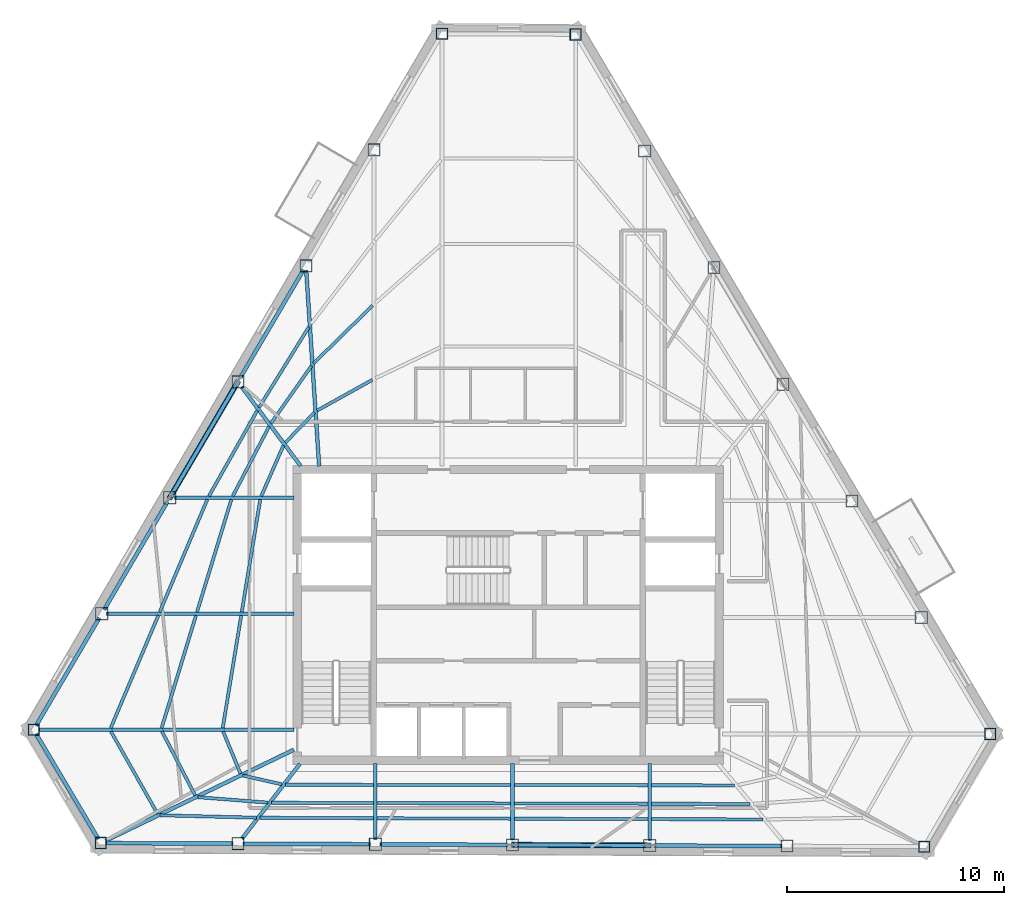
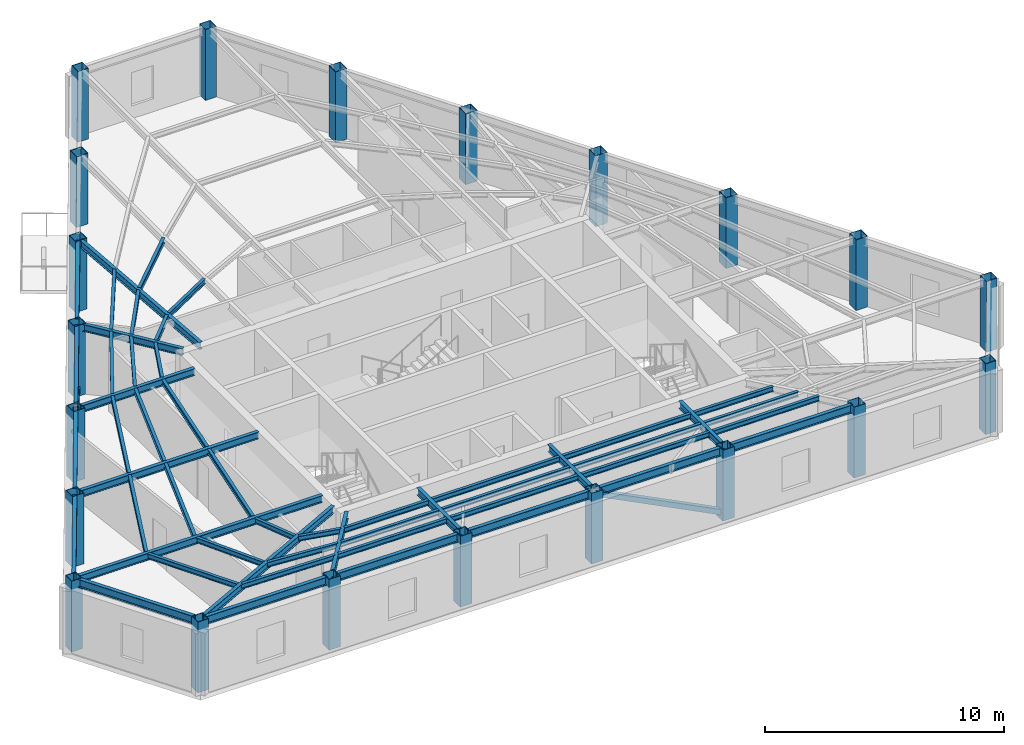
# One storey, part 1 of 9: 52 beams, 21 columns, 2 members.
"""IFC4 building model written with IfcOpenShell, lengths in metres."""

from ifc_helpers import new_model, si_unit, direction, frame, origin, origin_2d, place, context, subcontext, project, spatial, hollow_rectangle, i_section, extrude, material, material_profile, profile_set, type_object, element, save


model = new_model("IFC4")

# Units and contexts
model_context = context("Model", 3, precision=1e-05, world=origin(), true_north=direction((0.0, 1.0)))
body_context = subcontext(model_context, "Body", "Model", "MODEL_VIEW")
ifc_project = project(units=[si_unit("LENGTHUNIT", "METRE"), si_unit("AREAUNIT", "SQUARE_METRE"), si_unit("VOLUMEUNIT", "CUBIC_METRE"), si_unit("PLANEANGLEUNIT", "RADIAN"), si_unit("MASSUNIT", "GRAM", prefix="KILO")], contexts=[model_context])

# Site, building, storey
site_placement = place(None, origin())
site = spatial("IfcSite", under=ifc_project, at=site_placement, CompositionType="ELEMENT")
building_placement = place(site_placement, origin())
building = spatial("IfcBuilding", under=site, at=building_placement, Name="Kavelnor Concourse Tower", CompositionType="ELEMENT")
storey_placement = place(building_placement, frame((0.0, 0.0, 270.300048828125)))
storey = spatial("IfcBuildingStorey", under=building, at=storey_placement, Name="L68", CompositionType="ELEMENT", Elevation=270.300048828125)

# Columns
ifc_material = material(Name="Steel Grade 350", Category="steel")
ifc_material_profile_1 = material_profile(ifc_material, hollow_rectangle(XDim=0.52001953125, YDim=0.52001953125, WallThickness=0.02392578125, at=origin_2d()), Name="SHS 520x520x24")
ifc_profile_set_1 = profile_set([ifc_material_profile_1], Name="Steel Grade 350")
column_type_1 = type_object("IfcColumnType", Name="COL-FOLD-Z4", PredefinedType="COLUMN", material=ifc_profile_set_1)
for number, where, z_axis, x_axis, name in (
    (1, (34.951904296875, 42.83447265625, 0.0), (0.0, 0.0, 1.0), (1.0, 0.0, 0.0), "L68 Perimeter Corner-Fold Column F0-B0"),
    (2, (16.1630859375, 10.815673828125, 0.0), (0.0, 0.0, 1.0), (1.0, 0.0, 0.0), "L68 Perimeter Corner-Fold Column F0-B6"),
    (3, (19.2529296875, 5.602294921875, 0.0), (0.0, 0.0, 1.0), (1.0, 0.0, 0.0), "L68 Perimeter Corner-Fold Column F1-B0"),
    (4, (57.1376953125, 5.4375, 0.0), (0.0, 0.0, 1.0), (1.0, 0.0, 0.0), "L68 Perimeter Corner-Fold Column F1-B6"),
    (5, (60.177001953125, 10.616943359375, 0.0), (0.0, 0.0, 1.0), (1.0, 0.0, 0.0), "L68 Perimeter Corner-Fold Column F2-B0"),
    (6, (41.0986328125, 42.8076171875, 0.0), (0.0, 0.0, 1.0), (1.0, 0.0, 0.0), "L68 Perimeter Corner-Fold Column F2-B6"),
):
    element("IfcColumn", number, at=place(storey_placement, frame(where, z_axis=z_axis, x_axis=x_axis)), inside=storey, type_object=column_type_1, Name=name, PredefinedType="COLUMN", context=body_context, shape_type="SweptSolid", body=[
        extrude(hollow_rectangle(XDim=0.52001953125, YDim=0.52001953125, WallThickness=0.02392578125, at=origin_2d()), origin(), (0.0, 0.0, 1.0), 3.60986328125),
    ])
ifc_material_profile_2 = material_profile(ifc_material, hollow_rectangle(XDim=0.56005859375, YDim=0.56005859375, WallThickness=0.02490234375, at=origin_2d()), Name="SHS 560x560x25")
ifc_profile_set_2 = profile_set([ifc_material_profile_2], Name="Steel Grade 350")
column_type_2 = type_object("IfcColumnType", Name="COL-TUBE-Z4", PredefinedType="COLUMN", material=ifc_profile_set_2)
for number, where, z_axis, x_axis, name in (
    (7, (31.820556640625, 37.497802734375, 0.0), (0.0, 0.0, 1.0), (1.0, 0.0, 0.0), "L68 Perimeter Framed-Tube Column F0-B1"),
    (8, (28.68896484375, 32.16162109375, 0.0), (0.0, 0.0, 1.0), (1.0, 0.0, 0.0), "L68 Perimeter Framed-Tube Column F0-B2"),
    (9, (25.5576171875, 26.824951171875, 0.0), (0.0, 0.0, 1.0), (1.0, 0.0, 0.0), "L68 Perimeter Framed-Tube Column F0-B3"),
    (10, (22.426025390625, 21.488525390625, 0.0), (0.0, 0.0, 1.0), (1.0, 0.0, 0.0), "L68 Perimeter Framed-Tube Column F0-B4"),
    (11, (19.294677734375, 16.152099609375, 0.0), (0.0, 0.0, 1.0), (1.0, 0.0, 0.0), "L68 Perimeter Framed-Tube Column F0-B5"),
    (12, (25.567138671875, 5.57470703125, 0.0), (0.0, 0.0, 1.0), (1.0, 0.0, 0.0), "L68 Perimeter Framed-Tube Column F1-B1"),
    (13, (31.881103515625, 5.54736328125, 0.0), (0.0, 0.0, 1.0), (1.0, 0.0, 0.0), "L68 Perimeter Framed-Tube Column F1-B2"),
    (14, (38.1953125, 5.52001953125, 0.0), (0.0, 0.0, 1.0), (1.0, 0.0, 0.0), "L68 Perimeter Framed-Tube Column F1-B3"),
    (15, (44.509521484375, 5.492431640625, 0.0), (0.0, 0.0, 1.0), (1.0, 0.0, 0.0), "L68 Perimeter Framed-Tube Column F1-B4"),
    (16, (50.823486328125, 5.465087890625, 0.0), (0.0, 0.0, 1.0), (1.0, 0.0, 0.0), "L68 Perimeter Framed-Tube Column F1-B5"),
    (17, (56.997314453125, 15.98193359375, 0.0), (0.0, 0.0, 1.0), (1.0, 0.0, 0.0), "L68 Perimeter Framed-Tube Column F2-B1"),
    (18, (53.8173828125, 21.34716796875, 0.0), (0.0, 0.0, 1.0), (1.0, 0.0, 0.0), "L68 Perimeter Framed-Tube Column F2-B2"),
    (19, (50.6376953125, 26.71240234375, 0.0), (0.0, 0.0, 1.0), (1.0, 0.0, 0.0), "L68 Perimeter Framed-Tube Column F2-B3"),
    (20, (47.4580078125, 32.077392578125, 0.0), (0.0, 0.0, 1.0), (1.0, 0.0, 0.0), "L68 Perimeter Framed-Tube Column F2-B4"),
    (21, (44.2783203125, 37.442626953125, 0.0), (0.0, 0.0, 1.0), (1.0, 0.0, 0.0), "L68 Perimeter Framed-Tube Column F2-B5"),
):
    element("IfcColumn", number, at=place(storey_placement, frame(where, z_axis=z_axis, x_axis=x_axis)), inside=storey, type_object=column_type_2, Name=name, PredefinedType="COLUMN", context=body_context, shape_type="SweptSolid", body=[
        extrude(hollow_rectangle(XDim=0.56005859375, YDim=0.56005859375, WallThickness=0.02490234375, at=origin_2d()), origin(), (0.0, 0.0, 1.0), 3.60986328125),
    ])

# Beams
ifc_material_profile_3 = material_profile(ifc_material, i_section(OverallWidth=0.14599609375, OverallDepth=0.256103515625, WebThickness=0.00634765625, FlangeThickness=0.010986328125, at=origin_2d()), Name="250UB37")
ifc_profile_set_3 = profile_set([ifc_material_profile_3], Name="Steel Grade 350")
beam_type_1 = type_object("IfcBeamType", Name="BM-JOIST-250", PredefinedType="JOIST", material=ifc_profile_set_3)
beam_1_placement = place(storey_placement, frame((24.87939453125, 10.73974609375, 3.48193359375), z_axis=(0.381844468656, -0.924226596543, 0.0), x_axis=(0.924226596543, 0.381844468656, 0.0)))
element("IfcBeam", 22, at=beam_1_placement, inside=storey, type_object=beam_type_1, Name="L68 Secondary Composite Joist 01-1", PredefinedType="JOIST", context=body_context, shape_type="SweptSolid", body=[
    extrude(i_section(OverallWidth=0.14599609375, OverallDepth=0.256103515625, WebThickness=0.00634765625, FlangeThickness=0.010986328125, at=origin_2d()), origin(), (0.0, 0.0, 1.0), 2.09716796875),
])
beam_2_placement = place(storey_placement, frame((22.064208984375, 10.742919921875, 3.48193359375), z_axis=(0.460767420884, -0.887520920233, 0.0), x_axis=(0.887520920233, 0.460767420884, 0.0)))
element("IfcBeam", 23, at=beam_2_placement, inside=storey, type_object=beam_type_1, Name="L68 Secondary Composite Joist 01-2", PredefinedType="JOIST", context=body_context, shape_type="SweptSolid", body=[
    extrude(i_section(OverallWidth=0.14599609375, OverallDepth=0.256103515625, WebThickness=0.00634765625, FlangeThickness=0.010986328125, at=origin_2d()), origin(), (0.0, 0.0, 1.0), 3.3232421875),
])
beam_3_placement = place(storey_placement, frame((19.715576171875, 10.744140625, 3.48193359375), z_axis=(0.492681533633, -0.870209691061, 0.0), x_axis=(0.870209691061, 0.492681533633, 0.0)))
element("IfcBeam", 24, at=beam_3_placement, inside=storey, type_object=beam_type_1, Name="L68 Secondary Composite Joist 01-3", PredefinedType="JOIST", context=body_context, shape_type="SweptSolid", body=[
    extrude(i_section(OverallWidth=0.14599609375, OverallDepth=0.256103515625, WebThickness=0.00634765625, FlangeThickness=0.010986328125, at=origin_2d()), origin(), (0.0, 0.0, 1.0), 4.354736328125),
])
beam_4_placement = place(storey_placement, frame((25.79150390625, 8.707763671875, 3.48193359375), z_axis=(0.975609045527, -0.21951535319, 0.0), x_axis=(0.21951535319, 0.975609045527, 0.0)))
element("IfcBeam", 25, at=beam_4_placement, inside=storey, type_object=beam_type_1, Name="L68 Secondary Composite Joist 02-1", PredefinedType="JOIST", context=body_context, shape_type="SweptSolid", body=[
    extrude(i_section(OverallWidth=0.14599609375, OverallDepth=0.256103515625, WebThickness=0.00634765625, FlangeThickness=0.010986328125, at=origin_2d()), origin(), (0.0, 0.0, 1.0), 1.839599609375),
])
beam_5_placement = place(storey_placement, frame((23.715087890625, 7.71435546875, 3.48193359375), z_axis=(0.997026924328, -0.077053956191, 0.0), x_axis=(0.077053956191, 0.997026924328, 0.0)))
element("IfcBeam", 26, at=beam_5_placement, inside=storey, type_object=beam_type_1, Name="L68 Secondary Composite Joist 02-2", PredefinedType="JOIST", context=body_context, shape_type="SweptSolid", body=[
    extrude(i_section(OverallWidth=0.14599609375, OverallDepth=0.256103515625, WebThickness=0.00634765625, FlangeThickness=0.010986328125, at=origin_2d()), origin(), (0.0, 0.0, 1.0), 3.238037109375),
])
beam_6_placement = place(storey_placement, frame((21.9833984375, 6.881103515625, 3.48193359375), z_axis=(0.999689331831, -0.024924682993, 0.0), x_axis=(0.024924682993, 0.999689331831, 0.0)))
element("IfcBeam", 27, at=beam_6_placement, inside=storey, type_object=beam_type_1, Name="L68 Secondary Composite Joist 02-3", PredefinedType="JOIST", context=body_context, shape_type="SweptSolid", body=[
    extrude(i_section(OverallWidth=0.14599609375, OverallDepth=0.256103515625, WebThickness=0.00634765625, FlangeThickness=0.010986328125, at=origin_2d()), origin(), (0.0, 0.0, 1.0), 4.427490234375),
])
beam_7_placement = place(storey_placement, frame((27.748046875, 8.285888671875, 3.48193359375), z_axis=(0.999999535156, -0.000964203481, 0.0), x_axis=(0.000964203481, 0.999999535156, 0.0)))
element("IfcBeam", 28, at=beam_7_placement, inside=storey, type_object=beam_type_1, Name="L68 Secondary Composite Joist 03-1", PredefinedType="JOIST", context=body_context, shape_type="SweptSolid", body=[
    extrude(i_section(OverallWidth=0.14599609375, OverallDepth=0.256103515625, WebThickness=0.00634765625, FlangeThickness=0.010986328125, at=origin_2d()), origin(), (0.0, 0.0, 1.0), 4.05126953125),
])
beam_8_placement = place(storey_placement, frame((27.107421875, 7.458251953125, 3.48193359375), z_axis=(0.999995445857, -0.00301799021, 0.0), x_axis=(0.00301799021, 0.999995445857, 0.0)))
element("IfcBeam", 29, at=beam_8_placement, inside=storey, type_object=beam_type_1, Name="L68 Secondary Composite Joist 03-2", PredefinedType="JOIST", context=body_context, shape_type="SweptSolid", body=[
    extrude(i_section(OverallWidth=0.14599609375, OverallDepth=0.256103515625, WebThickness=0.00634765625, FlangeThickness=0.010986328125, at=origin_2d()), origin(), (0.0, 0.0, 1.0), 4.69189453125),
])
beam_9_placement = place(storey_placement, frame((26.573486328125, 6.768310546875, 3.48193359375), z_axis=(0.99999056158, -0.004344738249, 0.0), x_axis=(0.004344738249, 0.99999056158, 0.0)))
element("IfcBeam", 30, at=beam_9_placement, inside=storey, type_object=beam_type_1, Name="L68 Secondary Composite Joist 03-3", PredefinedType="JOIST", context=body_context, shape_type="SweptSolid", body=[
    extrude(i_section(OverallWidth=0.14599609375, OverallDepth=0.256103515625, WebThickness=0.00634765625, FlangeThickness=0.010986328125, at=origin_2d()), origin(), (0.0, 0.0, 1.0), 5.225830078125),
])
for number, where, z_axis, x_axis, name in (
    (31, (31.963134765625, 8.281982421875, 3.48193359375), (0.999999242815, -0.001230597298, 0.0), (0.001230597298, 0.999999242815, 0.0), "L68 Secondary Composite Joist 04-1"),
    (32, (31.963134765625, 7.443603515625, 3.48193359375), (0.999997440075, -0.002262707081, 0.0), (0.002262707081, 0.999997440075, 0.0), "L68 Secondary Composite Joist 04-2"),
    (33, (31.963134765625, 6.7451171875, 3.48193359375), (0.999995082661, -0.003136025228, 0.0), (0.003136025228, 0.999995082661, 0.0), "L68 Secondary Composite Joist 04-3"),
    (34, (38.27734375, 8.2744140625, 3.48193359375), (0.999999242815, -0.001230597298, 0.0), (0.001230597298, 0.999999242815, 0.0), "L68 Secondary Composite Joist 05-1"),
    (35, (38.27734375, 7.429443359375, 3.48193359375), (0.999997349466, -0.002302403488, 0.0), (0.002302403488, 0.999997349466, 0.0), "L68 Secondary Composite Joist 05-2"),
    (36, (38.27734375, 6.725341796875, 3.48193359375), (0.999995082661, -0.003136025228, 0.0), (0.003136025228, 0.999995082661, 0.0), "L68 Secondary Composite Joist 05-3"),
):
    element("IfcBeam", number, at=place(storey_placement, frame(where, z_axis=z_axis, x_axis=x_axis)), inside=storey, type_object=beam_type_1, Name=name, PredefinedType="JOIST", context=body_context, shape_type="SweptSolid", body=[
        extrude(i_section(OverallWidth=0.14599609375, OverallDepth=0.256103515625, WebThickness=0.00634765625, FlangeThickness=0.010986328125, at=origin_2d()), origin(), (0.0, 0.0, 1.0), 6.150146484375),
    ])
beam_10_placement = place(storey_placement, frame((44.59130859375, 8.266357421875, 3.48193359375), z_axis=(0.999995680846, -0.002939096628, 0.0), x_axis=(0.002939096628, 0.999995680846, 0.0)))
element("IfcBeam", 37, at=beam_10_placement, inside=storey, type_object=beam_type_1, Name="L68 Secondary Composite Joist 06-1", PredefinedType="JOIST", context=body_context, shape_type="SweptSolid", body=[
    extrude(i_section(OverallWidth=0.14599609375, OverallDepth=0.256103515625, WebThickness=0.00634765625, FlangeThickness=0.010986328125, at=origin_2d()), origin(), (0.0, 0.0, 1.0), 3.821044921875),
])
beam_11_placement = place(storey_placement, frame((44.59130859375, 7.4150390625, 3.48193359375), z_axis=(0.999995613999, -0.002961753299, 0.0), x_axis=(0.002961753299, 0.999995613999, 0.0)))
element("IfcBeam", 38, at=beam_11_placement, inside=storey, type_object=beam_type_1, Name="L68 Secondary Composite Joist 06-2", PredefinedType="JOIST", context=body_context, shape_type="SweptSolid", body=[
    extrude(i_section(OverallWidth=0.14599609375, OverallDepth=0.256103515625, WebThickness=0.00634765625, FlangeThickness=0.010986328125, at=origin_2d()), origin(), (0.0, 0.0, 1.0), 4.53369140625),
])
beam_12_placement = place(storey_placement, frame((44.59130859375, 6.70556640625, 3.48193359375), z_axis=(0.999995500887, -0.002999700817, 0.0), x_axis=(0.002999700817, 0.999995500887, 0.0)))
element("IfcBeam", 39, at=beam_12_placement, inside=storey, type_object=beam_type_1, Name="L68 Secondary Composite Joist 06-3", PredefinedType="JOIST", context=body_context, shape_type="SweptSolid", body=[
    extrude(i_section(OverallWidth=0.14599609375, OverallDepth=0.256103515625, WebThickness=0.00634765625, FlangeThickness=0.010986328125, at=origin_2d()), origin(), (0.0, 0.0, 1.0), 5.12744140625),
])
beam_13_placement = place(storey_placement, frame((31.748779296875, 26.914794921875, 3.48193359375), z_axis=(-0.874093994812, -0.485756820059, 0.0), x_axis=(0.485756820059, -0.874093994812, 0.0)))
element("IfcBeam", 40, at=beam_13_placement, inside=storey, type_object=beam_type_1, Name="L68 Secondary Composite Joist 17-1", PredefinedType="JOIST", context=body_context, shape_type="SweptSolid", body=[
    extrude(i_section(OverallWidth=0.14599609375, OverallDepth=0.256103515625, WebThickness=0.00634765625, FlangeThickness=0.010986328125, at=origin_2d()), origin(), (0.0, 0.0, 1.0), 2.912109375),
])
beam_14_placement = place(storey_placement, frame((31.761962890625, 30.33837890625, 3.48193359375), z_axis=(-0.714201278513, -0.699940378726, 0.0), x_axis=(0.699940378726, -0.714201278513, 0.0)))
element("IfcBeam", 41, at=beam_14_placement, inside=storey, type_object=beam_type_1, Name="L68 Secondary Composite Joist 17-2", PredefinedType="JOIST", context=body_context, shape_type="SweptSolid", body=[
    extrude(i_section(OverallWidth=0.14599609375, OverallDepth=0.256103515625, WebThickness=0.00634765625, FlangeThickness=0.010986328125, at=origin_2d()), origin(), (0.0, 0.0, 1.0), 3.800537109375),
])
beam_15_placement = place(storey_placement, frame((29.07470703125, 25.401611328125, 3.48193359375), z_axis=(-0.695910481663, -0.718128541078, 0.0), x_axis=(0.718128541078, -0.695910481663, 0.0)))
element("IfcBeam", 42, at=beam_15_placement, inside=storey, type_object=beam_type_1, Name="L68 Secondary Composite Joist 18-1", PredefinedType="JOIST", context=body_context, shape_type="SweptSolid", body=[
    extrude(i_section(OverallWidth=0.14599609375, OverallDepth=0.256103515625, WebThickness=0.00634765625, FlangeThickness=0.010986328125, at=origin_2d()), origin(), (0.0, 0.0, 1.0), 1.911865234375),
])
beam_16_placement = place(storey_placement, frame((28.941650390625, 27.5537109375, 3.48193359375), z_axis=(-0.575914508013, -0.817509926215, 0.0), x_axis=(0.817509926215, -0.575914508013, 0.0)))
element("IfcBeam", 43, at=beam_16_placement, inside=storey, type_object=beam_type_1, Name="L68 Secondary Composite Joist 18-2", PredefinedType="JOIST", context=body_context, shape_type="SweptSolid", body=[
    extrude(i_section(OverallWidth=0.14599609375, OverallDepth=0.256103515625, WebThickness=0.00634765625, FlangeThickness=0.010986328125, at=origin_2d()), origin(), (0.0, 0.0, 1.0), 3.230712890625),
])
beam_17_placement = place(storey_placement, frame((28.826904296875, 29.351318359375, 3.48193359375), z_axis=(-0.526323762989, -0.85028424454, 0.0), x_axis=(0.85028424454, -0.526323762989, 0.0)))
element("IfcBeam", 44, at=beam_17_placement, inside=storey, type_object=beam_type_1, Name="L68 Secondary Composite Joist 18-3", PredefinedType="JOIST", context=body_context, shape_type="SweptSolid", body=[
    extrude(i_section(OverallWidth=0.14599609375, OverallDepth=0.256103515625, WebThickness=0.00634765625, FlangeThickness=0.010986328125, at=origin_2d()), origin(), (0.0, 0.0, 1.0), 4.35888671875),
])
beam_18_placement = place(storey_placement, frame((27.654296875, 23.89453125, 3.48193359375), z_axis=(-0.400833936207, -0.916150727547, 0.0), x_axis=(0.916150727547, -0.400833936207, 0.0)))
element("IfcBeam", 45, at=beam_18_placement, inside=storey, type_object=beam_type_1, Name="L68 Secondary Composite Joist 19-1", PredefinedType="JOIST", context=body_context, shape_type="SweptSolid", body=[
    extrude(i_section(OverallWidth=0.14599609375, OverallDepth=0.256103515625, WebThickness=0.00634765625, FlangeThickness=0.010986328125, at=origin_2d()), origin(), (0.0, 0.0, 1.0), 2.544189453125),
])
beam_19_placement = place(storey_placement, frame((26.99609375, 24.772705078125, 3.48193359375), z_axis=(-0.462462342808, -0.886638923962, 0.0), x_axis=(0.886638923962, -0.462462342808, 0.0)))
element("IfcBeam", 46, at=beam_19_placement, inside=storey, type_object=beam_type_1, Name="L68 Secondary Composite Joist 19-2", PredefinedType="JOIST", context=body_context, shape_type="SweptSolid", body=[
    extrude(i_section(OverallWidth=0.14599609375, OverallDepth=0.256103515625, WebThickness=0.00634765625, FlangeThickness=0.010986328125, at=origin_2d()), origin(), (0.0, 0.0, 1.0), 3.6220703125),
])
beam_20_placement = place(storey_placement, frame((26.44921875, 25.50390625, 3.48193359375), z_axis=(-0.491277139706, -0.871003313428, 0.0), x_axis=(0.871003313428, -0.491277139706, 0.0)))
element("IfcBeam", 47, at=beam_20_placement, inside=storey, type_object=beam_type_1, Name="L68 Secondary Composite Joist 19-3", PredefinedType="JOIST", context=body_context, shape_type="SweptSolid", body=[
    extrude(i_section(OverallWidth=0.14599609375, OverallDepth=0.256103515625, WebThickness=0.00634765625, FlangeThickness=0.010986328125, at=origin_2d()), origin(), (0.0, 0.0, 1.0), 4.5283203125),
])
beam_21_placement = place(storey_placement, frame((26.58837890625, 21.40771484375, 3.48193359375), z_axis=(-0.162103520654, -0.986773757551, 0.0), x_axis=(0.986773757551, -0.162103520654, 0.0)))
element("IfcBeam", 48, at=beam_21_placement, inside=storey, type_object=beam_type_1, Name="L68 Secondary Composite Joist 20-1", PredefinedType="JOIST", context=body_context, shape_type="SweptSolid", body=[
    extrude(i_section(OverallWidth=0.14599609375, OverallDepth=0.256103515625, WebThickness=0.00634765625, FlangeThickness=0.010986328125, at=origin_2d()), origin(), (0.0, 0.0, 1.0), 5.244140625),
])
beam_22_placement = place(storey_placement, frame((25.25927734375, 21.41015625, 3.48193359375), z_axis=(-0.291861167603, -0.956460693832, 0.0), x_axis=(0.956460693832, -0.291861167603, 0.0)))
element("IfcBeam", 49, at=beam_22_placement, inside=storey, type_object=beam_type_1, Name="L68 Secondary Composite Joist 20-2", PredefinedType="JOIST", context=body_context, shape_type="SweptSolid", body=[
    extrude(i_section(OverallWidth=0.14599609375, OverallDepth=0.256103515625, WebThickness=0.00634765625, FlangeThickness=0.010986328125, at=origin_2d()), origin(), (0.0, 0.0, 1.0), 5.41552734375),
])
beam_23_placement = place(storey_placement, frame((24.152587890625, 21.4130859375, 3.48193359375), z_axis=(-0.389192869378, -0.921156289902, 0.0), x_axis=(0.921156289902, -0.389192869378, 0.0)))
element("IfcBeam", 50, at=beam_23_placement, inside=storey, type_object=beam_type_1, Name="L68 Secondary Composite Joist 20-3", PredefinedType="JOIST", context=body_context, shape_type="SweptSolid", body=[
    extrude(i_section(OverallWidth=0.14599609375, OverallDepth=0.256103515625, WebThickness=0.00634765625, FlangeThickness=0.010986328125, at=origin_2d()), origin(), (0.0, 0.0, 1.0), 5.62939453125),
])
beam_24_placement = place(storey_placement, frame((25.711669921875, 16.0712890625, 3.48193359375), z_axis=(-0.162148851513, -0.986766309697, 0.0), x_axis=(0.986766309697, -0.162148851513, 0.0)))
element("IfcBeam", 51, at=beam_24_placement, inside=storey, type_object=beam_type_1, Name="L68 Secondary Composite Joist 21-1", PredefinedType="JOIST", context=body_context, shape_type="SweptSolid", body=[
    extrude(i_section(OverallWidth=0.14599609375, OverallDepth=0.256103515625, WebThickness=0.00634765625, FlangeThickness=0.010986328125, at=origin_2d()), origin(), (0.0, 0.0, 1.0), 5.244140625),
])
beam_25_placement = place(storey_placement, frame((23.630859375, 16.07373046875, 3.48193359375), z_axis=(-0.291861167603, -0.956460693832, 0.0), x_axis=(0.956460693832, -0.291861167603, 0.0)))
element("IfcBeam", 52, at=beam_25_placement, inside=storey, type_object=beam_type_1, Name="L68 Secondary Composite Joist 21-2", PredefinedType="JOIST", context=body_context, shape_type="SweptSolid", body=[
    extrude(i_section(OverallWidth=0.14599609375, OverallDepth=0.256103515625, WebThickness=0.00634765625, FlangeThickness=0.010986328125, at=origin_2d()), origin(), (0.0, 0.0, 1.0), 5.41552734375),
])
beam_26_placement = place(storey_placement, frame((21.897705078125, 16.07666015625, 3.48193359375), z_axis=(-0.389156068646, -0.921171837518, 0.0), x_axis=(0.921171837518, -0.389156068646, 0.0)))
element("IfcBeam", 53, at=beam_26_placement, inside=storey, type_object=beam_type_1, Name="L68 Secondary Composite Joist 21-3", PredefinedType="JOIST", context=body_context, shape_type="SweptSolid", body=[
    extrude(i_section(OverallWidth=0.14599609375, OverallDepth=0.256103515625, WebThickness=0.00634765625, FlangeThickness=0.010986328125, at=origin_2d()), origin(), (0.0, 0.0, 1.0), 5.62939453125),
])
ifc_material_profile_4 = material_profile(ifc_material, i_section(OverallWidth=0.172119140625, OverallDepth=0.35888671875, WebThickness=0.008056640625, FlangeThickness=0.012939453125, at=origin_2d()), Name="360UB56")
ifc_profile_set_4 = profile_set([ifc_material_profile_4], Name="Steel Grade 350")
beam_type_2 = type_object("IfcBeamType", Name="BM-PRIMARY-360", PredefinedType="BEAM", material=ifc_profile_set_4)
beam_27_placement = place(storey_placement, frame((29.298095703125, 22.940185546875, 3.430419921875), z_axis=(-0.065901074156, 0.997826161425, 0.0), x_axis=(-0.997826161425, -0.065901074156, 0.0)))
element("IfcBeam", 54, at=beam_27_placement, inside=storey, type_object=beam_type_2, Name="L68 Primary Floor Girder F0-B2", PredefinedType="BEAM", context=body_context, shape_type="SweptSolid", body=[
    extrude(i_section(OverallWidth=0.172119140625, OverallDepth=0.35888671875, WebThickness=0.008056640625, FlangeThickness=0.012939453125, at=origin_2d()), origin(), (0.0, 0.0, 1.0), 9.020751953125),
])
beam_28_placement = place(storey_placement, frame((28.44921875, 22.947998046875, 3.430419921875), z_axis=(-0.597861262292, 0.801599595216, 0.0), x_axis=(-0.801599595216, -0.597861262292, 0.0)))
element("IfcBeam", 55, at=beam_28_placement, inside=storey, type_object=beam_type_2, Name="L68 Primary Floor Girder F0-B3", PredefinedType="BEAM", context=body_context, shape_type="SweptSolid", body=[
    extrude(i_section(OverallWidth=0.172119140625, OverallDepth=0.35888671875, WebThickness=0.008056640625, FlangeThickness=0.012939453125, at=origin_2d()), origin(), (0.0, 0.0, 1.0), 4.55224609375),
])
beam_29_placement = place(storey_placement, frame((28.139892578125, 21.488525390625, 3.430419921875), z_axis=(-1.0, 0.0, 0.0), x_axis=(0.0, -1.0, 0.0)))
element("IfcBeam", 56, at=beam_29_placement, inside=storey, type_object=beam_type_2, Name="L68 Primary Floor Girder F0-B4", PredefinedType="BEAM", context=body_context, shape_type="SweptSolid", body=[
    extrude(i_section(OverallWidth=0.172119140625, OverallDepth=0.35888671875, WebThickness=0.008056640625, FlangeThickness=0.012939453125, at=origin_2d()), origin(), (0.0, 0.0, 1.0), 5.493896484375),
])
beam_30_placement = place(storey_placement, frame((28.139892578125, 16.152099609375, 3.430419921875), z_axis=(-1.0, 0.0, 0.0), x_axis=(0.0, -1.0, 0.0)))
element("IfcBeam", 57, at=beam_30_placement, inside=storey, type_object=beam_type_2, Name="L68 Primary Floor Girder F0-B5", PredefinedType="BEAM", context=body_context, shape_type="SweptSolid", body=[
    extrude(i_section(OverallWidth=0.172119140625, OverallDepth=0.35888671875, WebThickness=0.008056640625, FlangeThickness=0.012939453125, at=origin_2d()), origin(), (0.0, 0.0, 1.0), 8.625244140625),
])
beam_31_placement = place(storey_placement, frame((28.139892578125, 10.815673828125, 3.430419921875), z_axis=(-1.0, 0.0, 0.0), x_axis=(0.0, -1.0, 0.0)))
element("IfcBeam", 58, at=beam_31_placement, inside=storey, type_object=beam_type_2, Name="L68 Primary Floor Girder F0-B6", PredefinedType="BEAM", context=body_context, shape_type="SweptSolid", body=[
    extrude(i_section(OverallWidth=0.172119140625, OverallDepth=0.35888671875, WebThickness=0.008056640625, FlangeThickness=0.012939453125, at=origin_2d()), origin(), (0.0, 0.0, 1.0), 11.756591796875),
])
beam_32_placement = place(storey_placement, frame((28.135986328125, 9.8984375, 3.430419921875), z_axis=(-0.900243343798, -0.435387094374, 0.0), x_axis=(0.435387094374, -0.900243343798, 0.0)))
element("IfcBeam", 59, at=beam_32_placement, inside=storey, type_object=beam_type_2, Name="L68 Primary Floor Girder F1-B0", PredefinedType="BEAM", context=body_context, shape_type="SweptSolid", body=[
    extrude(i_section(OverallWidth=0.172119140625, OverallDepth=0.35888671875, WebThickness=0.008056640625, FlangeThickness=0.012939453125, at=origin_2d()), origin(), (0.0, 0.0, 1.0), 9.618408203125),
])
beam_33_placement = place(storey_placement, frame((28.41357421875, 9.251708984375, 3.430419921875), z_axis=(-0.612156256393, -0.790736819529, 0.0), x_axis=(0.790736819529, -0.612156256393, 0.0)))
element("IfcBeam", 60, at=beam_33_placement, inside=storey, type_object=beam_type_2, Name="L68 Primary Floor Girder F1-B1", PredefinedType="BEAM", context=body_context, shape_type="SweptSolid", body=[
    extrude(i_section(OverallWidth=0.172119140625, OverallDepth=0.35888671875, WebThickness=0.008056640625, FlangeThickness=0.012939453125, at=origin_2d()), origin(), (0.0, 0.0, 1.0), 4.361083984375),
])
beam_34_placement = place(storey_placement, frame((31.881103515625, 9.260009765625, 3.430419921875), z_axis=(0.0, -1.0, 0.0), x_axis=(1.0, 0.0, 0.0)))
element("IfcBeam", 61, at=beam_34_placement, inside=storey, type_object=beam_type_2, Name="L68 Primary Floor Girder F1-B2", PredefinedType="BEAM", context=body_context, shape_type="SweptSolid", body=[
    extrude(i_section(OverallWidth=0.172119140625, OverallDepth=0.35888671875, WebThickness=0.008056640625, FlangeThickness=0.012939453125, at=origin_2d()), origin(), (0.0, 0.0, 1.0), 3.49267578125),
])
beam_35_placement = place(storey_placement, frame((38.1953125, 9.260009765625, 3.430419921875), z_axis=(0.0, -1.0, 0.0), x_axis=(1.0, 0.0, 0.0)))
element("IfcBeam", 62, at=beam_35_placement, inside=storey, type_object=beam_type_2, Name="L68 Primary Floor Girder F1-B3", PredefinedType="BEAM", context=body_context, shape_type="SweptSolid", body=[
    extrude(i_section(OverallWidth=0.172119140625, OverallDepth=0.35888671875, WebThickness=0.008056640625, FlangeThickness=0.012939453125, at=origin_2d()), origin(), (0.0, 0.0, 1.0), 3.52001953125),
])
beam_36_placement = place(storey_placement, frame((44.509521484375, 9.260009765625, 3.430419921875), z_axis=(0.0, -1.0, 0.0), x_axis=(1.0, 0.0, 0.0)))
element("IfcBeam", 63, at=beam_36_placement, inside=storey, type_object=beam_type_2, Name="L68 Primary Floor Girder F1-B4", PredefinedType="BEAM", context=body_context, shape_type="SweptSolid", body=[
    extrude(i_section(OverallWidth=0.172119140625, OverallDepth=0.35888671875, WebThickness=0.008056640625, FlangeThickness=0.012939453125, at=origin_2d()), origin(), (0.0, 0.0, 1.0), 3.547607421875),
])
ifc_material_profile_5 = material_profile(ifc_material, i_section(OverallWidth=0.177978515625, OverallDepth=0.406005859375, WebThickness=0.0078125, FlangeThickness=0.0126953125, at=origin_2d()), Name="410UB59")
ifc_profile_set_5 = profile_set([ifc_material_profile_5], Name="Steel Grade 350")
beam_type_3 = type_object("IfcBeamType", Name="BM-SPANDREL-Z4", PredefinedType="SPANDREL", material=ifc_profile_set_5)
for number, where, z_axis, x_axis, name in (
    (64, (28.5751953125, 31.96728515625, 3.406982421875), (-0.506123507958, -0.862461010534, 0.0), (0.862461010534, -0.506123507958, 0.0), "L68 Perimeter Tube Spandrel Beam F0-B2"),
    (65, (25.443603515625, 26.630859375, 3.406982421875), (-0.506091854472, -0.862479585171, 0.0), (0.862479585171, -0.506091854472, 0.0), "L68 Perimeter Tube Spandrel Beam F0-B3"),
    (66, (22.312255859375, 21.29443359375, 3.406982421875), (-0.506123507958, -0.862461010534, 0.0), (0.862461010534, -0.506123507958, 0.0), "L68 Perimeter Tube Spandrel Beam F0-B4"),
    (67, (19.1806640625, 15.9580078125, 3.406982421875), (-0.506091854472, -0.862479585171, 0.0), (0.862479585171, -0.506091854472, 0.0), "L68 Perimeter Tube Spandrel Beam F0-B5"),
):
    element("IfcBeam", number, at=place(storey_placement, frame(where, z_axis=z_axis, x_axis=x_axis)), inside=storey, type_object=beam_type_3, Name=name, PredefinedType="SPANDREL", context=body_context, shape_type="SweptSolid", body=[
        extrude(i_section(OverallWidth=0.177978515625, OverallDepth=0.406005859375, WebThickness=0.0078125, FlangeThickness=0.0126953125, at=origin_2d()), origin(), (0.0, 0.0, 1.0), 5.7373046875),
    ])
beam_37_placement = place(storey_placement, frame((19.47802734375, 5.601318359375, 3.406982421875), z_axis=(0.999990444959, -0.004371497428, 0.0), x_axis=(0.004371497428, 0.999990444959, 0.0)))
element("IfcBeam", 68, at=beam_37_placement, inside=storey, type_object=beam_type_3, Name="L68 Perimeter Tube Spandrel Beam F1-B0", PredefinedType="SPANDREL", context=body_context, shape_type="SweptSolid", body=[
    extrude(i_section(OverallWidth=0.177978515625, OverallDepth=0.406005859375, WebThickness=0.0078125, FlangeThickness=0.0126953125, at=origin_2d()), origin(), (0.0, 0.0, 1.0), 5.864013671875),
])
beam_38_placement = place(storey_placement, frame((25.7919921875, 5.57373046875, 3.406982421875), z_axis=(0.999990626872, -0.004329684646, 0.0), x_axis=(0.004329684646, 0.999990626872, 0.0)))
element("IfcBeam", 69, at=beam_38_placement, inside=storey, type_object=beam_type_3, Name="L68 Perimeter Tube Spandrel Beam F1-B1", PredefinedType="SPANDREL", context=body_context, shape_type="SweptSolid", body=[
    extrude(i_section(OverallWidth=0.177978515625, OverallDepth=0.406005859375, WebThickness=0.0078125, FlangeThickness=0.0126953125, at=origin_2d()), origin(), (0.0, 0.0, 1.0), 5.8642578125),
])
for number, where, z_axis, x_axis, name in (
    (70, (32.106201171875, 5.54638671875, 3.406982421875), (0.999990626091, -0.004329864903, 0.0), (0.004329864903, 0.999990626091, 0.0), "L68 Perimeter Tube Spandrel Beam F1-B2"),
    (71, (38.42041015625, 5.518798828125, 3.406982421875), (0.999990626091, -0.004329864903, 0.0), (0.004329864903, 0.999990626091, 0.0), "L68 Perimeter Tube Spandrel Beam F1-B3"),
    (72, (44.734375, 5.491455078125, 3.406982421875), (0.999990626091, -0.004329864903, 0.0), (0.004329864903, 0.999990626091, 0.0), "L68 Perimeter Tube Spandrel Beam F1-B4"),
):
    element("IfcBeam", number, at=place(storey_placement, frame(where, z_axis=z_axis, x_axis=x_axis)), inside=storey, type_object=beam_type_3, Name=name, PredefinedType="SPANDREL", context=body_context, shape_type="SweptSolid", body=[
        extrude(i_section(OverallWidth=0.177978515625, OverallDepth=0.406005859375, WebThickness=0.0078125, FlangeThickness=0.0126953125, at=origin_2d()), origin(), (0.0, 0.0, 1.0), 5.864013671875),
    ])
beam_39_placement = place(storey_placement, frame((16.27783203125, 10.6220703125, 3.406982421875), z_axis=(0.50985487583, -0.860260428936, 0.0), x_axis=(0.860260428936, 0.50985487583, 0.0)))
element("IfcBeam", 73, at=beam_39_placement, inside=storey, type_object=beam_type_3, Name="L68 Chamfer Facet Spandrel Beam C1", PredefinedType="SPANDREL", context=body_context, shape_type="SweptSolid", body=[
    extrude(i_section(OverallWidth=0.177978515625, OverallDepth=0.406005859375, WebThickness=0.0078125, FlangeThickness=0.0126953125, at=origin_2d()), origin(), (0.0, 0.0, 1.0), 5.610107421875),
])

# Members
ifc_material_profile_6 = material_profile(ifc_material, hollow_rectangle(XDim=0.25, YDim=0.25, WallThickness=0.01611328125, at=origin_2d()), Name="SHS 250x250x16")
ifc_profile_set_6 = profile_set([ifc_material_profile_6], Name="Steel Grade 350")
member_type = type_object("IfcMemberType", Name="MBR-TUBE-DIAG-Z4", PredefinedType="BRACE", material=ifc_profile_set_6)
member_1_placement = place(storey_placement, frame((25.5576171875, 26.824951171875, 0.219970703125), z_axis=(-0.449942506543, -0.76672981274, 0.457905159461), x_axis=(0.862462213843, -0.506121457451, 0.0)))
element("IfcMember", 74, at=member_1_placement, inside=storey, type_object=member_type, Name="L68 Framed-Tube Bracing Diagonal F0-B3", PredefinedType="BRACE", context=body_context, shape_type="SweptSolid", body=[
    extrude(hollow_rectangle(XDim=0.25, YDim=0.25, WallThickness=0.01611328125, at=origin_2d()), origin(), (0.0, 0.0, 1.0), 6.9599609375),
])
member_2_placement = place(storey_placement, frame((44.509521484375, 5.492431640625, 0.219970703125), z_axis=(-0.892722639583, 0.00390046237, 0.45058969714), x_axis=(-0.00436913434, -0.999990455287, 0.0)))
element("IfcMember", 75, at=member_2_placement, inside=storey, type_object=member_type, Name="L68 Framed-Tube Bracing Diagonal F1-B3", PredefinedType="BRACE", context=body_context, shape_type="SweptSolid", body=[
    extrude(hollow_rectangle(XDim=0.25, YDim=0.25, WallThickness=0.01611328125, at=origin_2d()), origin(), (0.0, 0.0, 1.0), 7.072998046875),
])

save(model, "model.ifc")
